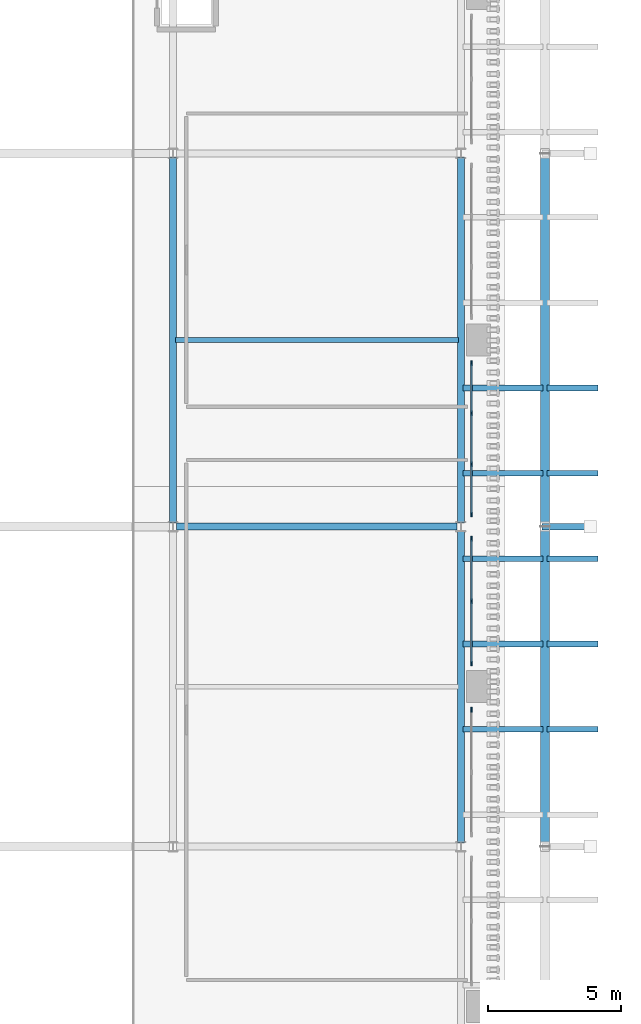
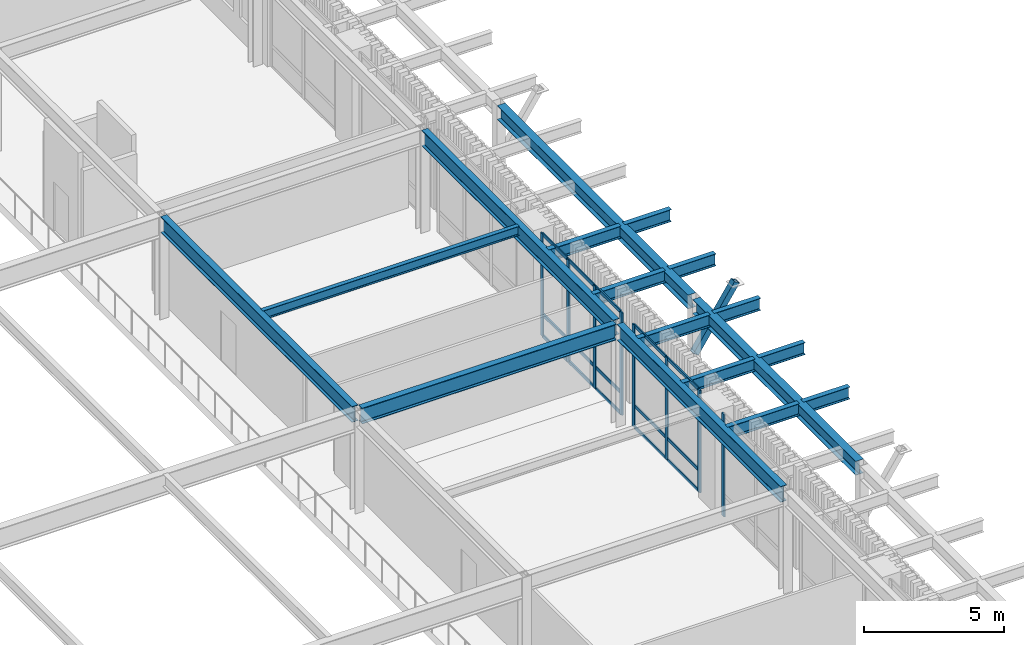
# One storey, part 52 of 126: 24 members, 17 beams, 3 elements without a shape of their own.
"""IFC4 building model written with IfcOpenShell, lengths in metres."""

import ifcopenshell
import ifcopenshell.guid

model = None  # the IFC model being written
_history = None  # IfcOwnerHistory: only IFC2X3 demands one
_inside = {}  # id of a spatial element -> (the spatial element, [elements in it])
_under = {}  # id of a project, library or spatial element -> (it, [spatial elements below it])
_declared = {}  # id of a project -> (the project, [libraries it declares])
_typed = {}  # id of a type object -> (the type object, [elements of that type])
_made_of = {}  # id of a material, layer set ... -> (it, [elements and type objects made of it])


def new_model(schema):
    """Start an empty IFC model of exactly this schema.

    Asked for "IFC4X3", IfcOpenShell would pick the latest addendum, in which some entities
    have other attributes; the version numbers below select the first issue.
    IFC2X3 requires an IfcOwnerHistory on every rooted entity: one is made here for all.
    """
    global model, _history
    if schema == "IFC4X3":
        model = ifcopenshell.file(schema_version=(4, 3, 0, 0))
    else:
        model = ifcopenshell.file(schema=schema)
    _inside.clear()
    _under.clear()
    _declared.clear()
    _typed.clear()
    _made_of.clear()
    _history = None
    if model.schema == "IFC2X3":
        org = make("IfcOrganization", Name="unknown")
        user = make(
            "IfcPersonAndOrganization",
            ThePerson=make("IfcPerson", FamilyName="unknown"),
            TheOrganization=org,
        )
        app = make(
            "IfcApplication",
            ApplicationDeveloper=org,
            Version="unknown",
            ApplicationFullName="unknown",
            ApplicationIdentifier="unknown",
        )
        _history = make(
            "IfcOwnerHistory",
            OwningUser=user,
            OwningApplication=app,
            ChangeAction="ADDED",
            CreationDate=0,
        )
    return model


def make(cls, **values):
    """One entity of the class cls with the attributes given. An attribute that is None is left unset."""
    return model.create_entity(
        cls, **{name: value for name, value in values.items() if value is not None}
    )


def rooted(cls, **values):
    """An entity with a GlobalId (a new one), such as an element, a storey or a relation."""
    return make(cls, GlobalId=ifcopenshell.guid.new(), OwnerHistory=_history, **values)


def si_unit(unit_type, name, prefix=None):
    """IfcSIUnit, for example si_unit("LENGTHUNIT", "METRE", prefix="MILLI")."""
    return make("IfcSIUnit", UnitType=unit_type, Prefix=prefix, Name=name)


def derived_unit(unit_type, elements):
    """IfcDerivedUnit: a product of units, each with its exponent."""
    return make(
        "IfcDerivedUnit",
        Elements=[
            make("IfcDerivedUnitElement", Unit=unit, Exponent=power)
            for unit, power in elements
        ],
        UnitType=unit_type,
    )


def assignment(units):
    """IfcUnitAssignment: the units of a project."""
    return None if units is None else make("IfcUnitAssignment", Units=units)


def point(xyz):
    """IfcCartesianPoint."""
    return None if xyz is None else make("IfcCartesianPoint", Coordinates=xyz)


def direction(xyz):
    """IfcDirection."""
    return None if xyz is None else make("IfcDirection", DirectionRatios=xyz)


def frame(location, z_axis=None, x_axis=None):
    """IfcAxis2Placement3D, a coordinate frame: its origin and axes. An axis left out is left unset."""
    return make(
        "IfcAxis2Placement3D",
        Location=point(location),
        Axis=direction(z_axis),
        RefDirection=direction(x_axis),
    )


def frame_2d(location, x_axis=None):
    """IfcAxis2Placement2D, a coordinate frame in the plane: its origin and x axis."""
    return make(
        "IfcAxis2Placement2D", Location=point(location), RefDirection=direction(x_axis)
    )


def origin():
    """The frame at (0, 0, 0) with its axes left unset."""
    return frame((0.0, 0.0, 0.0))


def origin_2d():
    """The frame at (0, 0) in the plane with its x axis left unset."""
    return frame_2d((0.0, 0.0))


def place(relative_to, where):
    """IfcLocalPlacement: puts the frame where relative to a parent placement (None: the world)."""
    return make(
        "IfcLocalPlacement", PlacementRelTo=relative_to, RelativePlacement=where
    )


def context(
    kind, dimensions, precision=None, world=None, true_north=None, identifier=None
):
    """IfcGeometricRepresentationContext, for example the 3D "Model" context."""
    return make(
        "IfcGeometricRepresentationContext",
        ContextIdentifier=identifier,
        ContextType=kind,
        CoordinateSpaceDimension=dimensions,
        Precision=precision,
        WorldCoordinateSystem=world,
        TrueNorth=true_north,
    )


def subcontext(parent, identifier, kind, view, scale=None):
    """IfcGeometricRepresentationSubContext, for example "Body" below "Model"."""
    return make(
        "IfcGeometricRepresentationSubContext",
        ContextIdentifier=identifier,
        ContextType=kind,
        ParentContext=parent,
        TargetScale=scale,
        TargetView=view,
    )


def project(units=None, contexts=None):
    """IfcProject with its units and contexts."""
    return rooted(
        "IfcProject",
        Name="project",
        RepresentationContexts=contexts,
        UnitsInContext=assignment(units),
    )


def spatial(cls, under=None, at=None, **own):
    """A site, building, storey or space (cls), placed at a placement, below another one or the project."""
    s = rooted(cls, ObjectPlacement=at, **own)
    if under is not None:
        _under.setdefault(under.id(), (under, []))[1].append(s)
    return s


def profile(cls, at=None, kind="AREA", **sizes):
    """A parametric profile (cls). Its sizes go by their IFC names, for example OverallWidth=200.0."""
    return make(cls, ProfileType=kind, Position=at, **sizes)


def rectangle(**sizes):
    """IfcRectangleProfileDef."""
    return profile("IfcRectangleProfileDef", **sizes)


def hollow_rectangle(**sizes):
    """IfcRectangleHollowProfileDef."""
    return profile("IfcRectangleHollowProfileDef", **sizes)


def i_section(**sizes):
    """IfcIShapeProfileDef."""
    return profile("IfcIShapeProfileDef", **sizes)


def extrude(swept, where, along, depth):
    """IfcExtrudedAreaSolid: the profile swept, set in the frame where, extruded along a direction by depth."""
    return make(
        "IfcExtrudedAreaSolid",
        SweptArea=swept,
        Position=where,
        ExtrudedDirection=direction(along),
        Depth=depth,
    )


def shape(context_of_items, identifier, shape_type, items):
    """IfcShapeRepresentation: the items that make up one representation, for example the "Body"."""
    return make(
        "IfcShapeRepresentation",
        ContextOfItems=context_of_items,
        RepresentationIdentifier=identifier,
        RepresentationType=shape_type,
        Items=items,
    )


def material(Name=None, Category=None):
    """IfcMaterial."""
    return make("IfcMaterial", Name=Name, Category=Category)


def layer(
    of_material, thickness, ventilated=None, Name=None, Category=None, Priority=None
):
    """IfcMaterialLayer: one layer of a wall or slab, of a material (None: an air gap)."""
    return make(
        "IfcMaterialLayer",
        Material=of_material,
        LayerThickness=thickness,
        IsVentilated=ventilated,
        Name=Name,
        Category=Category,
        Priority=Priority,
    )


def layer_set(layers, Name=None):
    """IfcMaterialLayerSet."""
    return make("IfcMaterialLayerSet", MaterialLayers=layers, LayerSetName=Name)


def material_profile(
    of_material, cross_section, Name=None, Category=None, Priority=None
):
    """IfcMaterialProfile: a cross section and its material."""
    return make(
        "IfcMaterialProfile",
        Name=Name,
        Material=of_material,
        Profile=cross_section,
        Priority=Priority,
        Category=Category,
    )


def profile_set(profiles, Name=None, composite=None):
    """IfcMaterialProfileSet."""
    return make(
        "IfcMaterialProfileSet",
        Name=Name,
        MaterialProfiles=profiles,
        CompositeProfile=composite,
    )


def made_of(thing, what):
    """Note that an element or type object is made of a material, layer set ...; save() writes the relation."""
    if what is not None:
        _made_of.setdefault(what.id(), (what, []))[1].append(thing)
    return thing


def type_object(cls, material=None, **own):
    """A type object (cls), such as IfcWallType, which elements share."""
    return made_of(rooted(cls, **own), material)


def element(
    cls,
    number,
    at=None,
    inside=None,
    cuts=None,
    type_object=None,
    material=None,
    context=None,
    identifier="Body",
    shape_type=None,
    held_by="IfcProductDefinitionShape",
    body=None,
    shapes=None,
    **own,
):
    """One element of the class cls, such as IfcWall. Its Tag is "e" and its number.

    at: its placement. inside: the storey or other place that contains it. cuts: it is an
    opening in that element (IfcRelVoidsElement). A single representation is given by context,
    identifier, shape_type and body (its items); several are given by shapes. held_by: the class
    of the entity that holds the representations. save() writes the other relations.
    """
    e = rooted(cls, Tag="e%d" % number, ObjectPlacement=at, **own)
    if body is not None:
        shapes = [shape(context, identifier, shape_type, body)]
    if shapes is not None:
        e.Representation = make(held_by, Representations=shapes)
    if inside is not None:
        _inside.setdefault(inside.id(), (inside, []))[1].append(e)
    if cuts is not None:
        rooted(
            "IfcRelVoidsElement", RelatingBuildingElement=cuts, RelatedOpeningElement=e
        )
    if type_object is not None:
        _typed.setdefault(type_object.id(), (type_object, []))[1].append(e)
    return made_of(e, material)


def aggregate(whole, parts):
    """IfcRelAggregates: a whole, such as a stair, and the parts it consists of."""
    return rooted("IfcRelAggregates", RelatingObject=whole, RelatedObjects=parts)


def save(model, path):
    """Write the relations noted so far, then the file.

    IfcRelAggregates (storeys below a building ...), IfcRelContainedInSpatialStructure (elements
    in a storey), IfcRelDefinesByType, IfcRelAssociatesMaterial and IfcRelDeclares: one each for
    every whole, place, type object, material and project.
    """
    for whole, parts in _under.values():
        aggregate(whole, parts)
    for where, things in _inside.values():
        rooted(
            "IfcRelContainedInSpatialStructure",
            RelatedElements=things,
            RelatingStructure=where,
        )
    for kind, things in _typed.values():
        rooted("IfcRelDefinesByType", RelatedObjects=things, RelatingType=kind)
    for what, things in _made_of.values():
        rooted("IfcRelAssociatesMaterial", RelatedObjects=things, RelatingMaterial=what)
    for by, libraries in _declared.values():
        rooted("IfcRelDeclares", RelatingContext=by, RelatedDefinitions=libraries)
    model.write(path)


model = new_model("IFC4")

# Units and contexts
model_context = context("Model", 3, precision=1e-05, world=origin(), true_north=direction((0.0, 1.0)))
body_context = subcontext(model_context, "Body", "Model", "MODEL_VIEW")
ifc_project = project(units=[si_unit("LENGTHUNIT", "METRE"), si_unit("AREAUNIT", "SQUARE_METRE"), si_unit("VOLUMEUNIT", "CUBIC_METRE"), si_unit("PLANEANGLEUNIT", "RADIAN"), si_unit("MASSUNIT", "GRAM", prefix="KILO"), derived_unit("THERMALTRANSMITTANCEUNIT", [(si_unit("MASSUNIT", "GRAM", prefix="KILO"), 1), (si_unit("TIMEUNIT", "SECOND"), -3), (si_unit("THERMODYNAMICTEMPERATUREUNIT", "KELVIN"), -1)])], contexts=[model_context])

# Site, building, storey
site_placement = place(None, origin())
site = spatial("IfcSite", under=ifc_project, at=site_placement, CompositionType="ELEMENT")
building_placement = place(site_placement, origin())
building = spatial("IfcBuilding", under=site, at=building_placement, Name="Valcora Ridge Arena", CompositionType="ELEMENT")
storey_placement = place(building_placement, frame((0.0, 0.0, 11.39990234375)))
storey = spatial("IfcBuildingStorey", under=building, at=storey_placement, Name="L02", CompositionType="ELEMENT", Elevation=11.39990234375)

# Beams
ifc_material_1 = material(Name="Steel ASTM A572 Grade 50", Category="steel")
ifc_material_profile_1 = material_profile(ifc_material_1, i_section(OverallWidth=0.324951171875, OverallDepth=0.612060546875, WebThickness=0.0126953125, FlangeThickness=0.01904296875, FilletRadius=0.01806640625, at=origin_2d()), Name="W24X104")
ifc_profile_set_1 = profile_set([ifc_material_profile_1], Name="Steel ASTM A572 Grade 50")
beam_type_1 = type_object("IfcBeamType", Name="TY-BEAM-G-COL-W24", PredefinedType="BEAM", material=ifc_profile_set_1)
beam_1_placement = place(storey_placement, frame((189.949951171875, 28.159912109375, 4.174072265625), z_axis=(0.0, 1.0, 0.0), x_axis=(-1.0, 0.0, 0.0)))
element("IfcBeam", 1, at=beam_1_placement, inside=storey, type_object=beam_type_1, Name="G-COL-W24 BEM-G-COL-W24-0006", PredefinedType="BEAM", context=body_context, shape_type="SweptSolid", body=[
    extrude(i_section(OverallWidth=0.324951171875, OverallDepth=0.612060546875, WebThickness=0.0126953125, FlangeThickness=0.01904296875, FilletRadius=0.01806640625, at=origin_2d()), origin(), (0.0, 0.0, 1.0), 11.68017578125),
])
beam_2_placement = place(storey_placement, frame((189.949951171875, 40.159912109375, 4.174072265625), z_axis=(0.0, 1.0, 0.0), x_axis=(-1.0, 0.0, 0.0)))
element("IfcBeam", 2, at=beam_2_placement, inside=storey, type_object=beam_type_1, Name="G-COL-W24 BEM-G-COL-W24-0008", PredefinedType="BEAM", context=body_context, shape_type="SweptSolid", body=[
    extrude(i_section(OverallWidth=0.324951171875, OverallDepth=0.612060546875, WebThickness=0.0126953125, FlangeThickness=0.01904296875, FilletRadius=0.01806640625, at=origin_2d()), origin(), (0.0, 0.0, 1.0), 13.68017578125),
])
ifc_material_profile_2 = material_profile(ifc_material_1, i_section(OverallWidth=0.256103515625, OverallDepth=0.693115234375, WebThickness=0.014404296875, FlangeThickness=0.023681640625, FilletRadius=0.02001953125, at=origin_2d()), Name="W27X114")
ifc_profile_set_2 = profile_set([ifc_material_profile_2], Name="Steel ASTM A572 Grade 50")
beam_type_2 = type_object("IfcBeamType", Name="TY-BEAM-G-W27X114-X", PredefinedType="BEAM", material=ifc_profile_set_2)
beam_3_placement = place(storey_placement, frame((176.139892578125, 40.0, 4.133544921875), z_axis=(1.0, 0.0, 0.0), x_axis=(0.0, 1.0, 0.0)))
element("IfcBeam", 3, at=beam_3_placement, inside=storey, type_object=beam_type_2, Name="G-W27X114-X BEM-G-W27X114-X-0044", PredefinedType="BEAM", context=body_context, shape_type="SweptSolid", body=[
    extrude(i_section(OverallWidth=0.256103515625, OverallDepth=0.693115234375, WebThickness=0.014404296875, FlangeThickness=0.023681640625, FilletRadius=0.02001953125, at=origin_2d()), origin(), (0.0, 0.0, 1.0), 10.52001953125),
])
ifc_material_profile_3 = material_profile(ifc_material_1, i_section(OverallWidth=0.256103515625, OverallDepth=0.693115234375, WebThickness=0.014404296875, FlangeThickness=0.023681640625, FilletRadius=0.02001953125, at=origin_2d()), Name="W27X114")
ifc_profile_set_3 = profile_set([ifc_material_profile_3], Name="Steel ASTM A572 Grade 50")
beam_type_3 = type_object("IfcBeamType", Name="TY-BEAM-G-W27X114-Y", PredefinedType="BEAM", material=ifc_profile_set_3)
beam_4_placement = place(storey_placement, frame((176.0, 40.139892578125, 4.133544921875), z_axis=(0.0, 1.0, 0.0), x_axis=(-1.0, 0.0, 0.0)))
element("IfcBeam", 4, at=beam_4_placement, inside=storey, type_object=beam_type_3, Name="G-W27X114-Y BEM-G-W27X114-Y-0076", PredefinedType="BEAM", context=body_context, shape_type="SweptSolid", body=[
    extrude(i_section(OverallWidth=0.256103515625, OverallDepth=0.693115234375, WebThickness=0.014404296875, FlangeThickness=0.023681640625, FilletRadius=0.02001953125, at=origin_2d()), origin(), (0.0, 0.0, 1.0), 13.72021484375),
])
beam_5_placement = place(storey_placement, frame((186.800048828125, 28.139892578125, 4.133544921875), z_axis=(0.0, 1.0, 0.0), x_axis=(-1.0, 0.0, 0.0)))
element("IfcBeam", 5, at=beam_5_placement, inside=storey, type_object=beam_type_3, Name="G-W27X114-Y BEM-G-W27X114-Y-0081", PredefinedType="BEAM", context=body_context, shape_type="SweptSolid", body=[
    extrude(i_section(OverallWidth=0.256103515625, OverallDepth=0.693115234375, WebThickness=0.014404296875, FlangeThickness=0.023681640625, FilletRadius=0.02001953125, at=origin_2d()), origin(), (0.0, 0.0, 1.0), 11.72021484375),
])
beam_6_placement = place(storey_placement, frame((186.800048828125, 40.139892578125, 4.133544921875), z_axis=(0.0, 1.0, 0.0), x_axis=(-1.0, 0.0, 0.0)))
element("IfcBeam", 6, at=beam_6_placement, inside=storey, type_object=beam_type_3, Name="G-W27X114-Y BEM-G-W27X114-Y-0082", PredefinedType="BEAM", context=body_context, shape_type="SweptSolid", body=[
    extrude(i_section(OverallWidth=0.256103515625, OverallDepth=0.693115234375, WebThickness=0.014404296875, FlangeThickness=0.023681640625, FilletRadius=0.02001953125, at=origin_2d()), origin(), (0.0, 0.0, 1.0), 13.72021484375),
])
ifc_material_profile_4 = material_profile(ifc_material_1, i_section(OverallWidth=0.177978515625, OverallDepth=0.406005859375, WebThickness=0.0078125, FlangeThickness=0.0126953125, FilletRadius=0.013916015625, at=origin_2d()), Name="W16X40")
ifc_profile_set_4 = profile_set([ifc_material_profile_4], Name="Steel ASTM A572 Grade 50")
beam_type_4 = type_object("IfcBeamType", Name="TY-BEAM-J-W16X40", PredefinedType="JOIST", material=ifc_profile_set_4)
beam_7_placement = place(storey_placement, frame((176.10009765625, 47.0, 4.277099609375), z_axis=(1.0, 0.0, 0.0), x_axis=(0.0, 1.0, 0.0)))
element("IfcBeam", 7, at=beam_7_placement, inside=storey, type_object=beam_type_4, Name="J-W16X40 BEM-J-W16X40-0022", PredefinedType="JOIST", context=body_context, shape_type="SweptSolid", body=[
    extrude(i_section(OverallWidth=0.177978515625, OverallDepth=0.406005859375, WebThickness=0.0078125, FlangeThickness=0.0126953125, FilletRadius=0.013916015625, at=origin_2d()), origin(), (0.0, 0.0, 1.0), 10.599853515625),
])
ifc_material_profile_5 = material_profile(ifc_material_1, i_section(OverallWidth=0.208984375, OverallDepth=0.532958984375, WebThickness=0.01025390625, FlangeThickness=0.015625, FilletRadius=0.01611328125, at=origin_2d()), Name="W21X62")
ifc_profile_set_5 = profile_set([ifc_material_profile_5], Name="Steel ASTM A572 Grade 50")
beam_type_5 = type_object("IfcBeamType", Name="TY-BEAM-RAF-EAVE-W21E", PredefinedType="BEAM", material=ifc_profile_set_5)
for number, where, z_axis, x_axis, name in (
    (8, (186.8798828125, 32.39990234375, 4.213623046875), (1.0, 0.0, 0.0), (0.0, 1.0, 0.0), "RAF-EAVE-W21E BEM-RAF-EAVE-W21E-0008"),
    (9, (186.8798828125, 35.60009765625, 4.213623046875), (1.0, 0.0, 0.0), (0.0, 1.0, 0.0), "RAF-EAVE-W21E BEM-RAF-EAVE-W21E-0009"),
    (10, (186.8798828125, 38.800048828125, 4.213623046875), (1.0, 0.0, 0.0), (0.0, 1.0, 0.0), "RAF-EAVE-W21E BEM-RAF-EAVE-W21E-0010"),
    (11, (186.8798828125, 42.0, 4.213623046875), (1.0, 0.0, 0.0), (0.0, 1.0, 0.0), "RAF-EAVE-W21E BEM-RAF-EAVE-W21E-0011"),
    (12, (186.8798828125, 45.199951171875, 4.213623046875), (1.0, 0.0, 0.0), (0.0, 1.0, 0.0), "RAF-EAVE-W21E BEM-RAF-EAVE-W21E-0012"),
):
    element("IfcBeam", number, at=place(storey_placement, frame(where, z_axis=z_axis, x_axis=x_axis)), inside=storey, type_object=beam_type_5, Name=name, PredefinedType="BEAM", context=body_context, shape_type="SweptSolid", body=[
        extrude(i_section(OverallWidth=0.208984375, OverallDepth=0.532958984375, WebThickness=0.01025390625, FlangeThickness=0.015625, FilletRadius=0.01611328125, at=origin_2d()), origin(), (0.0, 0.0, 1.0), 2.990234375),
    ])
ifc_material_profile_6 = material_profile(ifc_material_1, i_section(OverallWidth=0.208984375, OverallDepth=0.532958984375, WebThickness=0.01025390625, FlangeThickness=0.015625, FilletRadius=0.01611328125, at=origin_2d()), Name="W21X62")
ifc_profile_set_6 = profile_set([ifc_material_profile_6], Name="Steel ASTM A572 Grade 50")
beam_type_6 = type_object("IfcBeamType", Name="TY-BEAM-RAF-TIP-W21E", PredefinedType="BEAM", material=ifc_profile_set_6)
for number, where, z_axis, x_axis, name in (
    (13, (190.030029296875, 32.39990234375, 4.213623046875), (1.0, 0.0, 0.0), (0.0, 1.0, 0.0), "RAF-TIP-W21E BEM-RAF-TIP-W21E-0008"),
    (14, (190.030029296875, 35.60009765625, 4.213623046875), (1.0, 0.0, 0.0), (0.0, 1.0, 0.0), "RAF-TIP-W21E BEM-RAF-TIP-W21E-0009"),
    (15, (190.030029296875, 38.800048828125, 4.213623046875), (1.0, 0.0, 0.0), (0.0, 1.0, 0.0), "RAF-TIP-W21E BEM-RAF-TIP-W21E-0010"),
    (16, (190.030029296875, 42.0, 4.213623046875), (1.0, 0.0, 0.0), (0.0, 1.0, 0.0), "RAF-TIP-W21E BEM-RAF-TIP-W21E-0011"),
    (17, (190.030029296875, 45.199951171875, 4.213623046875), (1.0, 0.0, 0.0), (0.0, 1.0, 0.0), "RAF-TIP-W21E BEM-RAF-TIP-W21E-0012"),
):
    element("IfcBeam", number, at=place(storey_placement, frame(where, z_axis=z_axis, x_axis=x_axis)), inside=storey, type_object=beam_type_6, Name=name, PredefinedType="BEAM", context=body_context, shape_type="SweptSolid", body=[
        extrude(i_section(OverallWidth=0.208984375, OverallDepth=0.532958984375, WebThickness=0.01025390625, FlangeThickness=0.015625, FilletRadius=0.01611328125, at=origin_2d()), origin(), (0.0, 0.0, 1.0), 1.919921875),
    ])

# Curtain wall, member
ifc_material_2 = material(Name="Anodised dark bronze architectural aluminium 6063-T6", Category="aluminium")
ifc_layer_1 = layer(ifc_material_2, 0.179931640625, Name="Anodised dark bronze architectural aluminium 6063-T6")
ifc_layer_set_1 = layer_set([ifc_layer_1], Name="Anodised dark bronze architectural aluminium 6063-T6")
curtain_wall_type_1 = type_object("IfcCurtainWallType", Name="TY-CURTAINWALL-CW-V2-GLAZ-047X45", PredefinedType="NOTDEFINED", material=ifc_layer_set_1)
curtain_wall_1_placement = place(storey_placement, origin())
curtain_wall_1 = element("IfcCurtainWall", 18, at=curtain_wall_1_placement, inside=storey, type_object=curtain_wall_type_1, Name="CW-V2-GLAZ-047X45 CW-0073", PredefinedType="NOTDEFINED")
ifc_material_profile_7 = material_profile(ifc_material_2, rectangle(XDim=0.06005859375, YDim=0.179931640625, at=origin_2d()), Name="ALU MULLION 60x180")
ifc_profile_set_7 = profile_set([ifc_material_profile_7], Name="Anodised dark bronze architectural aluminium 6063-T6")
member_type_1 = type_object("IfcMemberType", Name="TY-MEM-CWM-60x180", PredefinedType="MULLION", material=ifc_profile_set_7)
member_1_placement = place(storey_placement, frame((187.199951171875, 33.1298828125, 0.0), z_axis=(0.0, 0.0, 1.0), x_axis=(-1.0, 0.0, 0.0)))
member_1 = element("IfcMember", 19, at=member_1_placement, type_object=member_type_1, Name="CW-0073/CWM-60x180/M02", PredefinedType="MULLION", context=body_context, shape_type="SweptSolid", body=[
    extrude(rectangle(XDim=0.06005859375, YDim=0.179931640625, at=origin_2d()), origin(), (0.0, 0.0, 1.0), 4.47998046875),
])
aggregate(curtain_wall_1, [member_1])

# Curtain wall, members
curtain_wall_2_placement = place(storey_placement, origin())
curtain_wall_2 = element("IfcCurtainWall", 20, at=curtain_wall_2_placement, inside=storey, type_object=curtain_wall_type_1, Name="CW-V2-GLAZ-047X45 CW-0074", PredefinedType="NOTDEFINED")
member_2_placement = place(storey_placement, frame((187.199951171875, 34.8701171875, 0.0), z_axis=(0.0, 0.0, 1.0), x_axis=(-1.0, 0.0, 0.0)))
member_2 = element("IfcMember", 21, at=member_2_placement, type_object=member_type_1, Name="CW-0074/CWM-60x180/M00", PredefinedType="MULLION", context=body_context, shape_type="SweptSolid", body=[
    extrude(rectangle(XDim=0.06005859375, YDim=0.179931640625, at=origin_2d()), origin(), (0.0, 0.0, 1.0), 4.47998046875),
])
member_3_placement = place(storey_placement, frame((187.199951171875, 37.206787109375, 0.0), z_axis=(0.0, 0.0, 1.0), x_axis=(-1.0, 0.0, 0.0)))
member_3 = element("IfcMember", 22, at=member_3_placement, type_object=member_type_1, Name="CW-0074/CWM-60x180/M01", PredefinedType="MULLION", context=body_context, shape_type="SweptSolid", body=[
    extrude(rectangle(XDim=0.06005859375, YDim=0.179931640625, at=origin_2d()), origin(), (0.0, 0.0, 1.0), 4.47998046875),
])
member_4_placement = place(storey_placement, frame((187.199951171875, 39.54345703125, 0.0), z_axis=(0.0, 0.0, 1.0), x_axis=(-1.0, 0.0, 0.0)))
member_4 = element("IfcMember", 23, at=member_4_placement, type_object=member_type_1, Name="CW-0074/CWM-60x180/M02", PredefinedType="MULLION", context=body_context, shape_type="SweptSolid", body=[
    extrude(rectangle(XDim=0.06005859375, YDim=0.179931640625, at=origin_2d()), origin(), (0.0, 0.0, 1.0), 4.47998046875),
])

ifc_layer_2 = layer(ifc_material_2, 0.179931640625, Name="Anodised dark bronze architectural aluminium 6063-T6")
ifc_layer_set_2 = layer_set([ifc_layer_2], Name="Anodised dark bronze architectural aluminium 6063-T6")
curtain_wall_type_2 = type_object("IfcCurtainWallType", Name="TY-CURTAINWALL-CW-V2-GLAZ-057X45", PredefinedType="NOTDEFINED", material=ifc_layer_set_2)
curtain_wall_3_placement = place(storey_placement, origin())
curtain_wall_3 = element("IfcCurtainWall", 24, at=curtain_wall_3_placement, inside=storey, type_object=curtain_wall_type_2, Name="CW-V2-GLAZ-057X45 CW-0075", PredefinedType="NOTDEFINED")
member_5_placement = place(storey_placement, frame((187.199951171875, 40.45654296875, 0.0), z_axis=(0.0, 0.0, 1.0), x_axis=(-1.0, 0.0, 0.0)))
member_5 = element("IfcMember", 25, at=member_5_placement, type_object=member_type_1, Name="CW-0075/CWM-60x180/M00", PredefinedType="MULLION", context=body_context, shape_type="SweptSolid", body=[
    extrude(rectangle(XDim=0.06005859375, YDim=0.179931640625, at=origin_2d()), origin(), (0.0, 0.0, 1.0), 4.47998046875),
])
member_6_placement = place(storey_placement, frame((187.199951171875, 42.337646484375, 0.0), z_axis=(0.0, 0.0, 1.0), x_axis=(-1.0, 0.0, 0.0)))
member_6 = element("IfcMember", 26, at=member_6_placement, type_object=member_type_1, Name="CW-0075/CWM-60x180/M01", PredefinedType="MULLION", context=body_context, shape_type="SweptSolid", body=[
    extrude(rectangle(XDim=0.06005859375, YDim=0.179931640625, at=origin_2d()), origin(), (0.0, 0.0, 1.0), 4.47998046875),
])
member_7_placement = place(storey_placement, frame((187.199951171875, 44.248779296875, 0.0), z_axis=(0.0, 0.0, 1.0), x_axis=(-1.0, 0.0, 0.0)))
member_7 = element("IfcMember", 27, at=member_7_placement, type_object=member_type_1, Name="CW-0075/CWM-60x180/M02", PredefinedType="MULLION", context=body_context, shape_type="SweptSolid", body=[
    extrude(rectangle(XDim=0.06005859375, YDim=0.179931640625, at=origin_2d()), origin(), (0.0, 0.0, 1.0), 4.47998046875),
])
member_8_placement = place(storey_placement, frame((187.199951171875, 46.1298828125, 0.0), z_axis=(0.0, 0.0, 1.0), x_axis=(-1.0, 0.0, 0.0)))
member_8 = element("IfcMember", 28, at=member_8_placement, type_object=member_type_1, Name="CW-0075/CWM-60x180/M03", PredefinedType="MULLION", context=body_context, shape_type="SweptSolid", body=[
    extrude(rectangle(XDim=0.06005859375, YDim=0.179931640625, at=origin_2d()), origin(), (0.0, 0.0, 1.0), 4.47998046875),
])

# Member
ifc_material_profile_8 = material_profile(ifc_material_2, rectangle(XDim=0.050048828125, YDim=0.14990234375, at=origin_2d()), Name="ALU TRANSOM 50x150")
ifc_profile_set_8 = profile_set([ifc_material_profile_8], Name="Anodised dark bronze architectural aluminium 6063-T6")
member_type_2 = type_object("IfcMemberType", Name="TY-MEM-CWT-50x150", PredefinedType="USERDEFINED", material=ifc_profile_set_8)
member_9_placement = place(storey_placement, frame((187.199951171875, 34.89990234375, 0.025146484375), z_axis=(0.0, 1.0, 0.0), x_axis=(-1.0, 0.0, 0.0)))
member_9 = element("IfcMember", 29, at=member_9_placement, type_object=member_type_2, Name="CW-0074/CWT-50x150/T00-00", ObjectType="TRANSOM", PredefinedType="USERDEFINED", context=body_context, shape_type="SweptSolid", body=[
    extrude(rectangle(XDim=0.050048828125, YDim=0.14990234375, at=origin_2d()), origin(), (0.0, 0.0, 1.0), 2.277099609375),
])

member_10_placement = place(storey_placement, frame((187.199951171875, 34.89990234375, 0.9501953125), z_axis=(0.0, 1.0, 0.0), x_axis=(-1.0, 0.0, 0.0)))
member_10 = element("IfcMember", 30, at=member_10_placement, type_object=member_type_2, Name="CW-0074/CWT-50x150/T00-01", ObjectType="TRANSOM", PredefinedType="USERDEFINED", context=body_context, shape_type="SweptSolid", body=[
    extrude(rectangle(XDim=0.050048828125, YDim=0.14990234375, at=origin_2d()), origin(), (0.0, 0.0, 1.0), 2.277099609375),
])

member_11_placement = place(storey_placement, frame((187.199951171875, 34.89990234375, 4.455078125), z_axis=(0.0, 1.0, 0.0), x_axis=(-1.0, 0.0, 0.0)))
member_11 = element("IfcMember", 31, at=member_11_placement, type_object=member_type_2, Name="CW-0074/CWT-50x150/T00-02", ObjectType="TRANSOM", PredefinedType="USERDEFINED", context=body_context, shape_type="SweptSolid", body=[
    extrude(rectangle(XDim=0.050048828125, YDim=0.14990234375, at=origin_2d()), origin(), (0.0, 0.0, 1.0), 2.277099609375),
])

member_12_placement = place(storey_placement, frame((187.199951171875, 37.237060546875, 0.025146484375), z_axis=(0.0, 1.0, 0.0), x_axis=(-1.0, 0.0, 0.0)))
member_12 = element("IfcMember", 32, at=member_12_placement, type_object=member_type_2, Name="CW-0074/CWT-50x150/T01-00", ObjectType="TRANSOM", PredefinedType="USERDEFINED", context=body_context, shape_type="SweptSolid", body=[
    extrude(rectangle(XDim=0.050048828125, YDim=0.14990234375, at=origin_2d()), origin(), (0.0, 0.0, 1.0), 2.27587890625),
])

member_13_placement = place(storey_placement, frame((187.199951171875, 37.237060546875, 0.9501953125), z_axis=(0.0, 1.0, 0.0), x_axis=(-1.0, 0.0, 0.0)))
member_13 = element("IfcMember", 33, at=member_13_placement, type_object=member_type_2, Name="CW-0074/CWT-50x150/T01-01", ObjectType="TRANSOM", PredefinedType="USERDEFINED", context=body_context, shape_type="SweptSolid", body=[
    extrude(rectangle(XDim=0.050048828125, YDim=0.14990234375, at=origin_2d()), origin(), (0.0, 0.0, 1.0), 2.27587890625),
])

member_14_placement = place(storey_placement, frame((187.199951171875, 37.237060546875, 4.455078125), z_axis=(0.0, 1.0, 0.0), x_axis=(-1.0, 0.0, 0.0)))
member_14 = element("IfcMember", 34, at=member_14_placement, type_object=member_type_2, Name="CW-0074/CWT-50x150/T01-02", ObjectType="TRANSOM", PredefinedType="USERDEFINED", context=body_context, shape_type="SweptSolid", body=[
    extrude(rectangle(XDim=0.050048828125, YDim=0.14990234375, at=origin_2d()), origin(), (0.0, 0.0, 1.0), 2.27587890625),
])

aggregate(curtain_wall_2, [member_2, member_3, member_4, member_9, member_10, member_11, member_12, member_13, member_14])

member_15_placement = place(storey_placement, frame((187.199951171875, 40.486572265625, 0.025146484375), z_axis=(0.0, 1.0, 0.0), x_axis=(-1.0, 0.0, 0.0)))
member_15 = element("IfcMember", 35, at=member_15_placement, type_object=member_type_2, Name="CW-0075/CWT-50x150/T00-00", ObjectType="TRANSOM", PredefinedType="USERDEFINED", context=body_context, shape_type="SweptSolid", body=[
    extrude(rectangle(XDim=0.050048828125, YDim=0.14990234375, at=origin_2d()), origin(), (0.0, 0.0, 1.0), 1.821044921875),
])

member_16_placement = place(storey_placement, frame((187.199951171875, 40.486572265625, 0.9501953125), z_axis=(0.0, 1.0, 0.0), x_axis=(-1.0, 0.0, 0.0)))
member_16 = element("IfcMember", 36, at=member_16_placement, type_object=member_type_2, Name="CW-0075/CWT-50x150/T00-01", ObjectType="TRANSOM", PredefinedType="USERDEFINED", context=body_context, shape_type="SweptSolid", body=[
    extrude(rectangle(XDim=0.050048828125, YDim=0.14990234375, at=origin_2d()), origin(), (0.0, 0.0, 1.0), 1.821044921875),
])

member_17_placement = place(storey_placement, frame((187.199951171875, 40.486572265625, 4.455078125), z_axis=(0.0, 1.0, 0.0), x_axis=(-1.0, 0.0, 0.0)))
member_17 = element("IfcMember", 37, at=member_17_placement, type_object=member_type_2, Name="CW-0075/CWT-50x150/T00-02", ObjectType="TRANSOM", PredefinedType="USERDEFINED", context=body_context, shape_type="SweptSolid", body=[
    extrude(rectangle(XDim=0.050048828125, YDim=0.14990234375, at=origin_2d()), origin(), (0.0, 0.0, 1.0), 1.821044921875),
])

member_18_placement = place(storey_placement, frame((187.199951171875, 42.367431640625, 0.025146484375), z_axis=(0.0, 1.0, 0.0), x_axis=(-1.0, 0.0, 0.0)))
member_18 = element("IfcMember", 38, at=member_18_placement, type_object=member_type_2, Name="CW-0075/CWT-50x150/T01-00", ObjectType="TRANSOM", PredefinedType="USERDEFINED", context=body_context, shape_type="SweptSolid", body=[
    extrude(rectangle(XDim=0.050048828125, YDim=0.14990234375, at=origin_2d()), origin(), (0.0, 0.0, 1.0), 1.85107421875),
])

member_19_placement = place(storey_placement, frame((187.199951171875, 42.367431640625, 0.9501953125), z_axis=(0.0, 1.0, 0.0), x_axis=(-1.0, 0.0, 0.0)))
member_19 = element("IfcMember", 39, at=member_19_placement, type_object=member_type_2, Name="CW-0075/CWT-50x150/T01-01", ObjectType="TRANSOM", PredefinedType="USERDEFINED", context=body_context, shape_type="SweptSolid", body=[
    extrude(rectangle(XDim=0.050048828125, YDim=0.14990234375, at=origin_2d()), origin(), (0.0, 0.0, 1.0), 1.85107421875),
])

member_20_placement = place(storey_placement, frame((187.199951171875, 42.367431640625, 4.455078125), z_axis=(0.0, 1.0, 0.0), x_axis=(-1.0, 0.0, 0.0)))
member_20 = element("IfcMember", 40, at=member_20_placement, type_object=member_type_2, Name="CW-0075/CWT-50x150/T01-02", ObjectType="TRANSOM", PredefinedType="USERDEFINED", context=body_context, shape_type="SweptSolid", body=[
    extrude(rectangle(XDim=0.050048828125, YDim=0.14990234375, at=origin_2d()), origin(), (0.0, 0.0, 1.0), 1.85107421875),
])

member_21_placement = place(storey_placement, frame((187.199951171875, 44.278564453125, 0.025146484375), z_axis=(0.0, 1.0, 0.0), x_axis=(-1.0, 0.0, 0.0)))
member_21 = element("IfcMember", 41, at=member_21_placement, type_object=member_type_2, Name="CW-0075/CWT-50x150/T02-00", ObjectType="TRANSOM", PredefinedType="USERDEFINED", context=body_context, shape_type="SweptSolid", body=[
    extrude(rectangle(XDim=0.050048828125, YDim=0.14990234375, at=origin_2d()), origin(), (0.0, 0.0, 1.0), 1.821044921875),
])

member_22_placement = place(storey_placement, frame((187.199951171875, 44.278564453125, 0.9501953125), z_axis=(0.0, 1.0, 0.0), x_axis=(-1.0, 0.0, 0.0)))
member_22 = element("IfcMember", 42, at=member_22_placement, type_object=member_type_2, Name="CW-0075/CWT-50x150/T02-01", ObjectType="TRANSOM", PredefinedType="USERDEFINED", context=body_context, shape_type="SweptSolid", body=[
    extrude(rectangle(XDim=0.050048828125, YDim=0.14990234375, at=origin_2d()), origin(), (0.0, 0.0, 1.0), 1.821044921875),
])

member_23_placement = place(storey_placement, frame((187.199951171875, 44.278564453125, 4.455078125), z_axis=(0.0, 1.0, 0.0), x_axis=(-1.0, 0.0, 0.0)))
member_23 = element("IfcMember", 43, at=member_23_placement, type_object=member_type_2, Name="CW-0075/CWT-50x150/T02-02", ObjectType="TRANSOM", PredefinedType="USERDEFINED", context=body_context, shape_type="SweptSolid", body=[
    extrude(rectangle(XDim=0.050048828125, YDim=0.14990234375, at=origin_2d()), origin(), (0.0, 0.0, 1.0), 1.821044921875),
])

aggregate(curtain_wall_3, [member_5, member_6, member_7, member_8, member_15, member_16, member_17, member_18, member_19, member_20, member_21, member_22, member_23])

ifc_material_3 = material(Name="Steel ASTM A500 Grade C", Category="steel")
ifc_material_profile_9 = material_profile(ifc_material_3, hollow_rectangle(XDim=0.25, YDim=0.25, WallThickness=0.012451171875, at=origin_2d()), Name="HSS250X250X12")
ifc_profile_set_9 = profile_set([ifc_material_profile_9], Name="Steel ASTM A500 Grade C")
member_type_3 = type_object("IfcMemberType", Name="TY-MEMBER-KBG-250", PredefinedType="BRACE", material=ifc_profile_set_9)
member_24_placement = place(storey_placement, frame((189.949951171875, 40.0, 2.0), z_axis=(0.55317758564, 0.0, 0.833063358182), x_axis=(0.0, 1.0, 0.0)))
element("IfcMember", 44, at=member_24_placement, inside=storey, type_object=member_type_3, Name="KBG-250 Knee Brace", PredefinedType="BRACE", context=body_context, shape_type="SweptSolid", body=[
    extrude(hollow_rectangle(XDim=0.25, YDim=0.25, WallThickness=0.012451171875, at=origin_2d()), origin(), (0.0, 0.0, 1.0), 3.072998046875),
])

save(model, "model.ifc")
